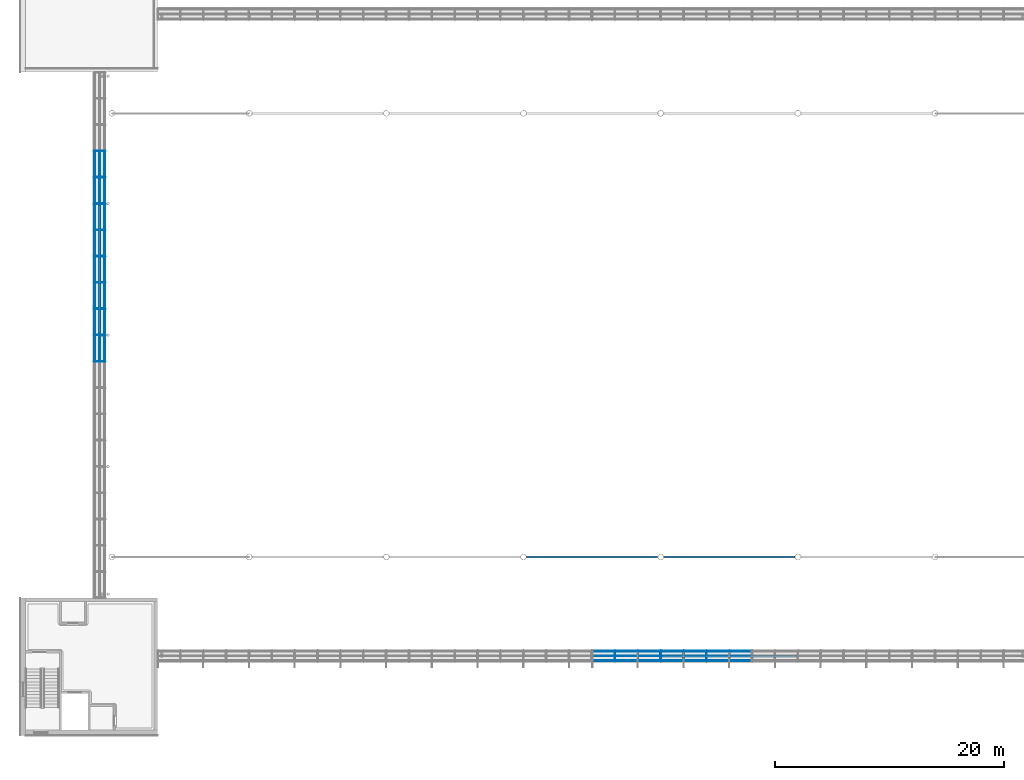
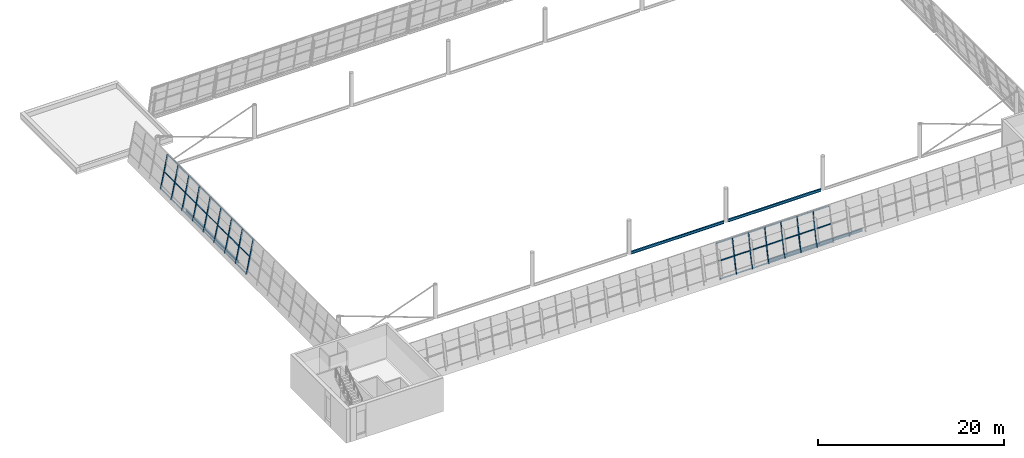
# One storey, part 11 of 50: 60 members, 4 beams, 2 elements without a shape of their own.
"""IFC4 building model written with IfcOpenShell, lengths in metres."""

from ifc_helpers import new_model, si_unit, direction, frame, origin, origin_2d, place, context, subcontext, project, spatial, rectangle, i_section, extrude, material, layer, layer_set, material_profile, profile_set, type_object, element, aggregate, save


model = new_model("IFC4")

# Units and contexts
model_context = context("Model", 3, precision=1e-05, world=origin(), true_north=direction((0.0, 1.0)))
body_context = subcontext(model_context, "Body", "Model", "MODEL_VIEW")
ifc_project = project(units=[si_unit("LENGTHUNIT", "METRE"), si_unit("AREAUNIT", "SQUARE_METRE"), si_unit("VOLUMEUNIT", "CUBIC_METRE"), si_unit("PLANEANGLEUNIT", "RADIAN"), si_unit("MASSUNIT", "GRAM", prefix="KILO")], contexts=[model_context])

# Site, building, storey
site_placement = place(None, origin())
site = spatial("IfcSite", under=ifc_project, at=site_placement, CompositionType="ELEMENT")
building_placement = place(site_placement, origin())
building = spatial("IfcBuilding", under=site, at=building_placement, Name="Windward Yard Aquatics Centre", CompositionType="ELEMENT")
storey_placement = place(building_placement, frame((0.0, 0.0, 18.199951171875)))
storey = spatial("IfcBuildingStorey", under=building, at=storey_placement, Name="L04", CompositionType="ELEMENT", Elevation=18.199951171875)

# Curtain wall, members
ifc_material_1 = material(Name="Glass and aluminium curtain wall", Category="aluminium")
ifc_layer = layer(ifc_material_1, 0.179931640625)
ifc_layer_set = layer_set([ifc_layer], Name="H curtain wall tier 2 double glazed 6+16+6")
curtain_wall_type = type_object("IfcCurtainWallType", Name="H curtain wall tier 2 double glazed 6+16+6", PredefinedType="NOTDEFINED", material=ifc_layer_set)
curtain_wall_1_placement = place(storey_placement, origin())
curtain_wall_1 = element("IfcCurtainWall", 1, at=curtain_wall_1_placement, inside=storey, type_object=curtain_wall_type, Name="Tier 2 glazing S L04", PredefinedType="NOTDEFINED")
ifc_material_2 = material(Name="Aluminium 6063-T6 anodised", Category="aluminium")
ifc_material_profile_1 = material_profile(ifc_material_2, rectangle(XDim=0.06494140625, YDim=0.179931640625, at=origin_2d()), Name="H CW mullion 65x180")
ifc_profile_set_1 = profile_set([ifc_material_profile_1], Name="Aluminium 6063-T6 anodised")
member_type_1 = type_object("IfcMemberType", Name="H CW mullion 65x180", PredefinedType="MULLION", material=ifc_profile_set_1)
member_1_placement = place(storey_placement, frame((104.004638671875, 32.505126953125, 0.0), z_axis=(0.0, 0.199376314935, 0.979922999548), x_axis=(-1.0, 0.0, 0.0)))
member_1 = element("IfcMember", 2, at=member_1_placement, type_object=member_type_1, Name="G2SB mullion 2", PredefinedType="MULLION", context=body_context, shape_type="SweptSolid", body=[
    extrude(rectangle(XDim=0.06494140625, YDim=0.179931640625, at=origin_2d()), origin(), (0.0, 0.0, 1.0), 4.31884765625),
])
member_2_placement = place(storey_placement, frame((106.00439453125, 32.505126953125, 0.0), z_axis=(0.0, 0.199376314935, 0.979922999548), x_axis=(-1.0, 0.0, 0.0)))
member_2 = element("IfcMember", 3, at=member_2_placement, type_object=member_type_1, Name="G2SB mullion 3", PredefinedType="MULLION", context=body_context, shape_type="SweptSolid", body=[
    extrude(rectangle(XDim=0.06494140625, YDim=0.179931640625, at=origin_2d()), origin(), (0.0, 0.0, 1.0), 4.31884765625),
])
member_3_placement = place(storey_placement, frame((108.004150390625, 32.505126953125, 0.0), z_axis=(0.0, 0.199376314935, 0.979922999548), x_axis=(-1.0, 0.0, 0.0)))
member_3 = element("IfcMember", 4, at=member_3_placement, type_object=member_type_1, Name="G2SB mullion 4", PredefinedType="MULLION", context=body_context, shape_type="SweptSolid", body=[
    extrude(rectangle(XDim=0.06494140625, YDim=0.179931640625, at=origin_2d()), origin(), (0.0, 0.0, 1.0), 4.31884765625),
])
member_4_placement = place(storey_placement, frame((110.00390625, 32.505126953125, 0.0), z_axis=(0.0, 0.199376314935, 0.979922999548), x_axis=(-1.0, 0.0, 0.0)))
member_4 = element("IfcMember", 5, at=member_4_placement, type_object=member_type_1, Name="G2SB mullion 5", PredefinedType="MULLION", context=body_context, shape_type="SweptSolid", body=[
    extrude(rectangle(XDim=0.06494140625, YDim=0.179931640625, at=origin_2d()), origin(), (0.0, 0.0, 1.0), 4.31884765625),
])
member_5_placement = place(storey_placement, frame((112.003662109375, 32.505126953125, 0.0), z_axis=(0.0, 0.199376314935, 0.979922999548), x_axis=(-1.0, 0.0, 0.0)))
member_5 = element("IfcMember", 6, at=member_5_placement, type_object=member_type_1, Name="G2SB mullion 6", PredefinedType="MULLION", context=body_context, shape_type="SweptSolid", body=[
    extrude(rectangle(XDim=0.06494140625, YDim=0.179931640625, at=origin_2d()), origin(), (0.0, 0.0, 1.0), 4.31884765625),
])
member_6_placement = place(storey_placement, frame((114.00341796875, 32.505126953125, 0.0), z_axis=(0.0, 0.199376314935, 0.979922999548), x_axis=(-1.0, 0.0, 0.0)))
member_6 = element("IfcMember", 7, at=member_6_placement, type_object=member_type_1, Name="G2SB mullion 7", PredefinedType="MULLION", context=body_context, shape_type="SweptSolid", body=[
    extrude(rectangle(XDim=0.06494140625, YDim=0.179931640625, at=origin_2d()), origin(), (0.0, 0.0, 1.0), 4.31884765625),
])

curtain_wall_2_placement = place(storey_placement, origin())
curtain_wall_2 = element("IfcCurtainWall", 8, at=curtain_wall_2_placement, inside=storey, type_object=curtain_wall_type, Name="Tier 2 glazing W L04", PredefinedType="NOTDEFINED")
member_7_placement = place(storey_placement, frame((58.505126953125, 58.699951171875, 0.0), z_axis=(0.199376314935, 0.0, 0.979922999548), x_axis=(0.0, 1.0, 0.0)))
member_7 = element("IfcMember", 9, at=member_7_placement, type_object=member_type_1, Name="G2WA mullion 10", PredefinedType="MULLION", context=body_context, shape_type="SweptSolid", body=[
    extrude(rectangle(XDim=0.06494140625, YDim=0.179931640625, at=origin_2d()), origin(), (0.0, 0.0, 1.0), 4.31884765625),
])
member_8_placement = place(storey_placement, frame((58.505126953125, 61.0, 0.0), z_axis=(0.199376314935, 0.0, 0.979922999548), x_axis=(0.0, 1.0, 0.0)))
member_8 = element("IfcMember", 10, at=member_8_placement, type_object=member_type_1, Name="G2WA mullion 11", PredefinedType="MULLION", context=body_context, shape_type="SweptSolid", body=[
    extrude(rectangle(XDim=0.06494140625, YDim=0.179931640625, at=origin_2d()), origin(), (0.0, 0.0, 1.0), 4.31884765625),
])
member_9_placement = place(storey_placement, frame((58.505126953125, 63.300048828125, 0.0), z_axis=(0.199376314935, 0.0, 0.979922999548), x_axis=(0.0, 1.0, 0.0)))
member_9 = element("IfcMember", 11, at=member_9_placement, type_object=member_type_1, Name="G2WA mullion 12", PredefinedType="MULLION", context=body_context, shape_type="SweptSolid", body=[
    extrude(rectangle(XDim=0.06494140625, YDim=0.179931640625, at=origin_2d()), origin(), (0.0, 0.0, 1.0), 4.31884765625),
])
member_10_placement = place(storey_placement, frame((58.505126953125, 65.60009765625, 0.0), z_axis=(0.199376314935, 0.0, 0.979922999548), x_axis=(0.0, 1.0, 0.0)))
member_10 = element("IfcMember", 12, at=member_10_placement, type_object=member_type_1, Name="G2WA mullion 13", PredefinedType="MULLION", context=body_context, shape_type="SweptSolid", body=[
    extrude(rectangle(XDim=0.06494140625, YDim=0.179931640625, at=origin_2d()), origin(), (0.0, 0.0, 1.0), 4.31884765625),
])
member_11_placement = place(storey_placement, frame((58.505126953125, 67.89990234375, 0.0), z_axis=(0.199376314935, 0.0, 0.979922999548), x_axis=(0.0, 1.0, 0.0)))
member_11 = element("IfcMember", 13, at=member_11_placement, type_object=member_type_1, Name="G2WA mullion 14", PredefinedType="MULLION", context=body_context, shape_type="SweptSolid", body=[
    extrude(rectangle(XDim=0.06494140625, YDim=0.179931640625, at=origin_2d()), origin(), (0.0, 0.0, 1.0), 4.31884765625),
])
member_12_placement = place(storey_placement, frame((58.505126953125, 70.199951171875, 0.0), z_axis=(0.199376314935, 0.0, 0.979922999548), x_axis=(0.0, 1.0, 0.0)))
member_12 = element("IfcMember", 14, at=member_12_placement, type_object=member_type_1, Name="G2WA mullion 15", PredefinedType="MULLION", context=body_context, shape_type="SweptSolid", body=[
    extrude(rectangle(XDim=0.06494140625, YDim=0.179931640625, at=origin_2d()), origin(), (0.0, 0.0, 1.0), 4.31884765625),
])
member_13_placement = place(storey_placement, frame((58.505126953125, 72.5, 0.0), z_axis=(0.199376314935, 0.0, 0.979922999548), x_axis=(0.0, 1.0, 0.0)))
member_13 = element("IfcMember", 15, at=member_13_placement, type_object=member_type_1, Name="G2WA mullion 16", PredefinedType="MULLION", context=body_context, shape_type="SweptSolid", body=[
    extrude(rectangle(XDim=0.06494140625, YDim=0.179931640625, at=origin_2d()), origin(), (0.0, 0.0, 1.0), 4.31884765625),
])
member_14_placement = place(storey_placement, frame((58.505126953125, 74.800048828125, 0.0), z_axis=(0.199376314935, 0.0, 0.979922999548), x_axis=(0.0, 1.0, 0.0)))
member_14 = element("IfcMember", 16, at=member_14_placement, type_object=member_type_1, Name="G2WA mullion 17", PredefinedType="MULLION", context=body_context, shape_type="SweptSolid", body=[
    extrude(rectangle(XDim=0.06494140625, YDim=0.179931640625, at=origin_2d()), origin(), (0.0, 0.0, 1.0), 4.31884765625),
])
member_15_placement = place(storey_placement, frame((58.505126953125, 77.10009765625, 0.0), z_axis=(0.199376314935, 0.0, 0.979922999548), x_axis=(0.0, 1.0, 0.0)))
member_15 = element("IfcMember", 17, at=member_15_placement, type_object=member_type_1, Name="G2WA mullion 18", PredefinedType="MULLION", context=body_context, shape_type="SweptSolid", body=[
    extrude(rectangle(XDim=0.06494140625, YDim=0.179931640625, at=origin_2d()), origin(), (0.0, 0.0, 1.0), 4.31884765625),
])

# Member
ifc_material_profile_2 = material_profile(ifc_material_2, rectangle(XDim=0.06494140625, YDim=0.10009765625, at=origin_2d()), Name="H CW transom 65x100")
ifc_profile_set_2 = profile_set([ifc_material_profile_2], Name="Aluminium 6063-T6 anodised")
member_type_2 = type_object("IfcMemberType", Name="H CW transom 65x100", PredefinedType="USERDEFINED", material=ifc_profile_set_2)
member_16_placement = place(storey_placement, frame((102.070068359375, 32.51513671875, 0.049072265625), z_axis=(1.0, 0.0, 0.0), x_axis=(0.0, -0.9799247046, 0.19936793452)))
member_16 = element("IfcMember", 18, at=member_16_placement, type_object=member_type_2, Name="G2SB transom 1.1", ObjectType="TRANSOM", PredefinedType="USERDEFINED", context=body_context, shape_type="SweptSolid", body=[
    extrude(rectangle(XDim=0.06494140625, YDim=0.10009765625, at=origin_2d()), origin(), (0.0, 0.0, 1.0), 1.902099609375),
])

member_17_placement = place(storey_placement, frame((102.070068359375, 32.9375, 2.125), z_axis=(1.0, 0.0, 0.0), x_axis=(0.0, -0.9799247046, 0.19936793452)))
member_17 = element("IfcMember", 19, at=member_17_placement, type_object=member_type_2, Name="G2SB transom 1.2", ObjectType="TRANSOM", PredefinedType="USERDEFINED", context=body_context, shape_type="SweptSolid", body=[
    extrude(rectangle(XDim=0.06494140625, YDim=0.10009765625, at=origin_2d()), origin(), (0.0, 0.0, 1.0), 1.902099609375),
])

member_18_placement = place(storey_placement, frame((102.070068359375, 33.358642578125, 4.194580078125), z_axis=(1.0, 0.0, 0.0), x_axis=(0.0, -0.9799247046, 0.19936793452)))
member_18 = element("IfcMember", 20, at=member_18_placement, type_object=member_type_2, Name="G2SB transom 1.3", ObjectType="TRANSOM", PredefinedType="USERDEFINED", context=body_context, shape_type="SweptSolid", body=[
    extrude(rectangle(XDim=0.06494140625, YDim=0.10009765625, at=origin_2d()), origin(), (0.0, 0.0, 1.0), 1.902099609375),
])

member_19_placement = place(storey_placement, frame((104.037353515625, 32.51513671875, 0.049072265625), z_axis=(1.0, 0.0, 0.0), x_axis=(0.0, -0.9799247046, 0.19936793452)))
member_19 = element("IfcMember", 21, at=member_19_placement, type_object=member_type_2, Name="G2SB transom 2.1", ObjectType="TRANSOM", PredefinedType="USERDEFINED", context=body_context, shape_type="SweptSolid", body=[
    extrude(rectangle(XDim=0.06494140625, YDim=0.10009765625, at=origin_2d()), origin(), (0.0, 0.0, 1.0), 1.9345703125),
])

member_20_placement = place(storey_placement, frame((104.037353515625, 32.9375, 2.125), z_axis=(1.0, 0.0, 0.0), x_axis=(0.0, -0.9799247046, 0.19936793452)))
member_20 = element("IfcMember", 22, at=member_20_placement, type_object=member_type_2, Name="G2SB transom 2.2", ObjectType="TRANSOM", PredefinedType="USERDEFINED", context=body_context, shape_type="SweptSolid", body=[
    extrude(rectangle(XDim=0.06494140625, YDim=0.10009765625, at=origin_2d()), origin(), (0.0, 0.0, 1.0), 1.9345703125),
])

member_21_placement = place(storey_placement, frame((104.037353515625, 33.358642578125, 4.194580078125), z_axis=(1.0, 0.0, 0.0), x_axis=(0.0, -0.9799247046, 0.19936793452)))
member_21 = element("IfcMember", 23, at=member_21_placement, type_object=member_type_2, Name="G2SB transom 2.3", ObjectType="TRANSOM", PredefinedType="USERDEFINED", context=body_context, shape_type="SweptSolid", body=[
    extrude(rectangle(XDim=0.06494140625, YDim=0.10009765625, at=origin_2d()), origin(), (0.0, 0.0, 1.0), 1.9345703125),
])

member_22_placement = place(storey_placement, frame((106.036865234375, 32.51513671875, 0.049072265625), z_axis=(1.0, 0.0, 0.0), x_axis=(0.0, -0.9799247046, 0.19936793452)))
member_22 = element("IfcMember", 24, at=member_22_placement, type_object=member_type_2, Name="G2SB transom 3.1", ObjectType="TRANSOM", PredefinedType="USERDEFINED", context=body_context, shape_type="SweptSolid", body=[
    extrude(rectangle(XDim=0.06494140625, YDim=0.10009765625, at=origin_2d()), origin(), (0.0, 0.0, 1.0), 1.934814453125),
])

member_23_placement = place(storey_placement, frame((106.036865234375, 32.9375, 2.125), z_axis=(1.0, 0.0, 0.0), x_axis=(0.0, -0.9799247046, 0.19936793452)))
member_23 = element("IfcMember", 25, at=member_23_placement, type_object=member_type_2, Name="G2SB transom 3.2", ObjectType="TRANSOM", PredefinedType="USERDEFINED", context=body_context, shape_type="SweptSolid", body=[
    extrude(rectangle(XDim=0.06494140625, YDim=0.10009765625, at=origin_2d()), origin(), (0.0, 0.0, 1.0), 1.934814453125),
])

member_24_placement = place(storey_placement, frame((106.036865234375, 33.358642578125, 4.194580078125), z_axis=(1.0, 0.0, 0.0), x_axis=(0.0, -0.9799247046, 0.19936793452)))
member_24 = element("IfcMember", 26, at=member_24_placement, type_object=member_type_2, Name="G2SB transom 3.3", ObjectType="TRANSOM", PredefinedType="USERDEFINED", context=body_context, shape_type="SweptSolid", body=[
    extrude(rectangle(XDim=0.06494140625, YDim=0.10009765625, at=origin_2d()), origin(), (0.0, 0.0, 1.0), 1.934814453125),
])

member_25_placement = place(storey_placement, frame((108.03662109375, 32.51513671875, 0.049072265625), z_axis=(1.0, 0.0, 0.0), x_axis=(0.0, -0.9799247046, 0.19936793452)))
member_25 = element("IfcMember", 27, at=member_25_placement, type_object=member_type_2, Name="G2SB transom 4.1", ObjectType="TRANSOM", PredefinedType="USERDEFINED", context=body_context, shape_type="SweptSolid", body=[
    extrude(rectangle(XDim=0.06494140625, YDim=0.10009765625, at=origin_2d()), origin(), (0.0, 0.0, 1.0), 1.934814453125),
])

member_26_placement = place(storey_placement, frame((108.03662109375, 32.9375, 2.125), z_axis=(1.0, 0.0, 0.0), x_axis=(0.0, -0.9799247046, 0.19936793452)))
member_26 = element("IfcMember", 28, at=member_26_placement, type_object=member_type_2, Name="G2SB transom 4.2", ObjectType="TRANSOM", PredefinedType="USERDEFINED", context=body_context, shape_type="SweptSolid", body=[
    extrude(rectangle(XDim=0.06494140625, YDim=0.10009765625, at=origin_2d()), origin(), (0.0, 0.0, 1.0), 1.934814453125),
])

member_27_placement = place(storey_placement, frame((108.03662109375, 33.358642578125, 4.194580078125), z_axis=(1.0, 0.0, 0.0), x_axis=(0.0, -0.9799247046, 0.19936793452)))
member_27 = element("IfcMember", 29, at=member_27_placement, type_object=member_type_2, Name="G2SB transom 4.3", ObjectType="TRANSOM", PredefinedType="USERDEFINED", context=body_context, shape_type="SweptSolid", body=[
    extrude(rectangle(XDim=0.06494140625, YDim=0.10009765625, at=origin_2d()), origin(), (0.0, 0.0, 1.0), 1.934814453125),
])

member_28_placement = place(storey_placement, frame((110.036376953125, 32.51513671875, 0.049072265625), z_axis=(1.0, 0.0, 0.0), x_axis=(0.0, -0.9799247046, 0.19936793452)))
member_28 = element("IfcMember", 30, at=member_28_placement, type_object=member_type_2, Name="G2SB transom 5.1", ObjectType="TRANSOM", PredefinedType="USERDEFINED", context=body_context, shape_type="SweptSolid", body=[
    extrude(rectangle(XDim=0.06494140625, YDim=0.10009765625, at=origin_2d()), origin(), (0.0, 0.0, 1.0), 1.934814453125),
])

member_29_placement = place(storey_placement, frame((110.036376953125, 32.9375, 2.125), z_axis=(1.0, 0.0, 0.0), x_axis=(0.0, -0.9799247046, 0.19936793452)))
member_29 = element("IfcMember", 31, at=member_29_placement, type_object=member_type_2, Name="G2SB transom 5.2", ObjectType="TRANSOM", PredefinedType="USERDEFINED", context=body_context, shape_type="SweptSolid", body=[
    extrude(rectangle(XDim=0.06494140625, YDim=0.10009765625, at=origin_2d()), origin(), (0.0, 0.0, 1.0), 1.934814453125),
])

member_30_placement = place(storey_placement, frame((110.036376953125, 33.358642578125, 4.194580078125), z_axis=(1.0, 0.0, 0.0), x_axis=(0.0, -0.9799247046, 0.19936793452)))
member_30 = element("IfcMember", 32, at=member_30_placement, type_object=member_type_2, Name="G2SB transom 5.3", ObjectType="TRANSOM", PredefinedType="USERDEFINED", context=body_context, shape_type="SweptSolid", body=[
    extrude(rectangle(XDim=0.06494140625, YDim=0.10009765625, at=origin_2d()), origin(), (0.0, 0.0, 1.0), 1.934814453125),
])

member_31_placement = place(storey_placement, frame((112.0361328125, 32.51513671875, 0.049072265625), z_axis=(1.0, 0.0, 0.0), x_axis=(0.0, -0.9799247046, 0.19936793452)))
member_31 = element("IfcMember", 33, at=member_31_placement, type_object=member_type_2, Name="G2SB transom 6.1", ObjectType="TRANSOM", PredefinedType="USERDEFINED", context=body_context, shape_type="SweptSolid", body=[
    extrude(rectangle(XDim=0.06494140625, YDim=0.10009765625, at=origin_2d()), origin(), (0.0, 0.0, 1.0), 1.934814453125),
])

member_32_placement = place(storey_placement, frame((112.0361328125, 32.9375, 2.125), z_axis=(1.0, 0.0, 0.0), x_axis=(0.0, -0.9799247046, 0.19936793452)))
member_32 = element("IfcMember", 34, at=member_32_placement, type_object=member_type_2, Name="G2SB transom 6.2", ObjectType="TRANSOM", PredefinedType="USERDEFINED", context=body_context, shape_type="SweptSolid", body=[
    extrude(rectangle(XDim=0.06494140625, YDim=0.10009765625, at=origin_2d()), origin(), (0.0, 0.0, 1.0), 1.934814453125),
])

member_33_placement = place(storey_placement, frame((112.0361328125, 33.358642578125, 4.194580078125), z_axis=(1.0, 0.0, 0.0), x_axis=(0.0, -0.9799247046, 0.19936793452)))
member_33 = element("IfcMember", 35, at=member_33_placement, type_object=member_type_2, Name="G2SB transom 6.3", ObjectType="TRANSOM", PredefinedType="USERDEFINED", context=body_context, shape_type="SweptSolid", body=[
    extrude(rectangle(XDim=0.06494140625, YDim=0.10009765625, at=origin_2d()), origin(), (0.0, 0.0, 1.0), 1.934814453125),
])

member_34_placement = place(storey_placement, frame((114.035888671875, 32.51513671875, 0.049072265625), z_axis=(1.0, 0.0, 0.0), x_axis=(0.0, -0.9799247046, 0.19936793452)))
member_34 = element("IfcMember", 36, at=member_34_placement, type_object=member_type_2, Name="G2SB transom 7.1", ObjectType="TRANSOM", PredefinedType="USERDEFINED", context=body_context, shape_type="SweptSolid", body=[
    extrude(rectangle(XDim=0.06494140625, YDim=0.10009765625, at=origin_2d()), origin(), (0.0, 0.0, 1.0), 1.934814453125),
])

member_35_placement = place(storey_placement, frame((114.035888671875, 32.9375, 2.125), z_axis=(1.0, 0.0, 0.0), x_axis=(0.0, -0.9799247046, 0.19936793452)))
member_35 = element("IfcMember", 37, at=member_35_placement, type_object=member_type_2, Name="G2SB transom 7.2", ObjectType="TRANSOM", PredefinedType="USERDEFINED", context=body_context, shape_type="SweptSolid", body=[
    extrude(rectangle(XDim=0.06494140625, YDim=0.10009765625, at=origin_2d()), origin(), (0.0, 0.0, 1.0), 1.934814453125),
])

member_36_placement = place(storey_placement, frame((114.035888671875, 33.358642578125, 4.194580078125), z_axis=(1.0, 0.0, 0.0), x_axis=(0.0, -0.9799247046, 0.19936793452)))
member_36 = element("IfcMember", 38, at=member_36_placement, type_object=member_type_2, Name="G2SB transom 7.3", ObjectType="TRANSOM", PredefinedType="USERDEFINED", context=body_context, shape_type="SweptSolid", body=[
    extrude(rectangle(XDim=0.06494140625, YDim=0.10009765625, at=origin_2d()), origin(), (0.0, 0.0, 1.0), 1.934814453125),
])

aggregate(curtain_wall_1, [member_1, member_2, member_3, member_4, member_5, member_6, member_16, member_17, member_18, member_19, member_20, member_21, member_22, member_23, member_24, member_25, member_26, member_27, member_28, member_29, member_30, member_31, member_32, member_33, member_34, member_35, member_36])

member_37_placement = place(storey_placement, frame((58.51513671875, 58.732421875, 0.049072265625), z_axis=(0.0, 1.0, 0.0), x_axis=(-0.9799247046, 0.0, 0.19936793452)))
member_37 = element("IfcMember", 39, at=member_37_placement, type_object=member_type_2, Name="G2WA transom 10.1", ObjectType="TRANSOM", PredefinedType="USERDEFINED", context=body_context, shape_type="SweptSolid", body=[
    extrude(rectangle(XDim=0.06494140625, YDim=0.10009765625, at=origin_2d()), origin(), (0.0, 0.0, 1.0), 2.235107421875),
])

member_38_placement = place(storey_placement, frame((58.9375, 58.732421875, 2.125), z_axis=(0.0, 1.0, 0.0), x_axis=(-0.9799247046, 0.0, 0.19936793452)))
member_38 = element("IfcMember", 40, at=member_38_placement, type_object=member_type_2, Name="G2WA transom 10.2", ObjectType="TRANSOM", PredefinedType="USERDEFINED", context=body_context, shape_type="SweptSolid", body=[
    extrude(rectangle(XDim=0.06494140625, YDim=0.10009765625, at=origin_2d()), origin(), (0.0, 0.0, 1.0), 2.235107421875),
])

member_39_placement = place(storey_placement, frame((59.358642578125, 58.732421875, 4.194580078125), z_axis=(0.0, 1.0, 0.0), x_axis=(-0.9799247046, 0.0, 0.19936793452)))
member_39 = element("IfcMember", 41, at=member_39_placement, type_object=member_type_2, Name="G2WA transom 10.3", ObjectType="TRANSOM", PredefinedType="USERDEFINED", context=body_context, shape_type="SweptSolid", body=[
    extrude(rectangle(XDim=0.06494140625, YDim=0.10009765625, at=origin_2d()), origin(), (0.0, 0.0, 1.0), 2.235107421875),
])

member_40_placement = place(storey_placement, frame((58.51513671875, 61.032470703125, 0.049072265625), z_axis=(0.0, 1.0, 0.0), x_axis=(-0.9799247046, 0.0, 0.19936793452)))
member_40 = element("IfcMember", 42, at=member_40_placement, type_object=member_type_2, Name="G2WA transom 11.1", ObjectType="TRANSOM", PredefinedType="USERDEFINED", context=body_context, shape_type="SweptSolid", body=[
    extrude(rectangle(XDim=0.06494140625, YDim=0.10009765625, at=origin_2d()), origin(), (0.0, 0.0, 1.0), 2.235107421875),
])

member_41_placement = place(storey_placement, frame((58.9375, 61.032470703125, 2.125), z_axis=(0.0, 1.0, 0.0), x_axis=(-0.9799247046, 0.0, 0.19936793452)))
member_41 = element("IfcMember", 43, at=member_41_placement, type_object=member_type_2, Name="G2WA transom 11.2", ObjectType="TRANSOM", PredefinedType="USERDEFINED", context=body_context, shape_type="SweptSolid", body=[
    extrude(rectangle(XDim=0.06494140625, YDim=0.10009765625, at=origin_2d()), origin(), (0.0, 0.0, 1.0), 2.235107421875),
])

member_42_placement = place(storey_placement, frame((59.358642578125, 61.032470703125, 4.194580078125), z_axis=(0.0, 1.0, 0.0), x_axis=(-0.9799247046, 0.0, 0.19936793452)))
member_42 = element("IfcMember", 44, at=member_42_placement, type_object=member_type_2, Name="G2WA transom 11.3", ObjectType="TRANSOM", PredefinedType="USERDEFINED", context=body_context, shape_type="SweptSolid", body=[
    extrude(rectangle(XDim=0.06494140625, YDim=0.10009765625, at=origin_2d()), origin(), (0.0, 0.0, 1.0), 2.235107421875),
])

member_43_placement = place(storey_placement, frame((58.51513671875, 63.33251953125, 0.049072265625), z_axis=(0.0, 1.0, 0.0), x_axis=(-0.9799247046, 0.0, 0.19936793452)))
member_43 = element("IfcMember", 45, at=member_43_placement, type_object=member_type_2, Name="G2WA transom 12.1", ObjectType="TRANSOM", PredefinedType="USERDEFINED", context=body_context, shape_type="SweptSolid", body=[
    extrude(rectangle(XDim=0.06494140625, YDim=0.10009765625, at=origin_2d()), origin(), (0.0, 0.0, 1.0), 2.23486328125),
])

member_44_placement = place(storey_placement, frame((58.9375, 63.33251953125, 2.125), z_axis=(0.0, 1.0, 0.0), x_axis=(-0.9799247046, 0.0, 0.19936793452)))
member_44 = element("IfcMember", 46, at=member_44_placement, type_object=member_type_2, Name="G2WA transom 12.2", ObjectType="TRANSOM", PredefinedType="USERDEFINED", context=body_context, shape_type="SweptSolid", body=[
    extrude(rectangle(XDim=0.06494140625, YDim=0.10009765625, at=origin_2d()), origin(), (0.0, 0.0, 1.0), 2.23486328125),
])

member_45_placement = place(storey_placement, frame((59.358642578125, 63.33251953125, 4.194580078125), z_axis=(0.0, 1.0, 0.0), x_axis=(-0.9799247046, 0.0, 0.19936793452)))
member_45 = element("IfcMember", 47, at=member_45_placement, type_object=member_type_2, Name="G2WA transom 12.3", ObjectType="TRANSOM", PredefinedType="USERDEFINED", context=body_context, shape_type="SweptSolid", body=[
    extrude(rectangle(XDim=0.06494140625, YDim=0.10009765625, at=origin_2d()), origin(), (0.0, 0.0, 1.0), 2.23486328125),
])

member_46_placement = place(storey_placement, frame((58.51513671875, 65.632568359375, 0.049072265625), z_axis=(0.0, 1.0, 0.0), x_axis=(-0.9799247046, 0.0, 0.19936793452)))
member_46 = element("IfcMember", 48, at=member_46_placement, type_object=member_type_2, Name="G2WA transom 13.1", ObjectType="TRANSOM", PredefinedType="USERDEFINED", context=body_context, shape_type="SweptSolid", body=[
    extrude(rectangle(XDim=0.06494140625, YDim=0.10009765625, at=origin_2d()), origin(), (0.0, 0.0, 1.0), 2.23486328125),
])

member_47_placement = place(storey_placement, frame((58.9375, 65.632568359375, 2.125), z_axis=(0.0, 1.0, 0.0), x_axis=(-0.9799247046, 0.0, 0.19936793452)))
member_47 = element("IfcMember", 49, at=member_47_placement, type_object=member_type_2, Name="G2WA transom 13.2", ObjectType="TRANSOM", PredefinedType="USERDEFINED", context=body_context, shape_type="SweptSolid", body=[
    extrude(rectangle(XDim=0.06494140625, YDim=0.10009765625, at=origin_2d()), origin(), (0.0, 0.0, 1.0), 2.23486328125),
])

member_48_placement = place(storey_placement, frame((59.358642578125, 65.632568359375, 4.194580078125), z_axis=(0.0, 1.0, 0.0), x_axis=(-0.9799247046, 0.0, 0.19936793452)))
member_48 = element("IfcMember", 50, at=member_48_placement, type_object=member_type_2, Name="G2WA transom 13.3", ObjectType="TRANSOM", PredefinedType="USERDEFINED", context=body_context, shape_type="SweptSolid", body=[
    extrude(rectangle(XDim=0.06494140625, YDim=0.10009765625, at=origin_2d()), origin(), (0.0, 0.0, 1.0), 2.23486328125),
])

member_49_placement = place(storey_placement, frame((58.51513671875, 67.9326171875, 0.049072265625), z_axis=(0.0, 1.0, 0.0), x_axis=(-0.9799247046, 0.0, 0.19936793452)))
member_49 = element("IfcMember", 51, at=member_49_placement, type_object=member_type_2, Name="G2WA transom 14.1", ObjectType="TRANSOM", PredefinedType="USERDEFINED", context=body_context, shape_type="SweptSolid", body=[
    extrude(rectangle(XDim=0.06494140625, YDim=0.10009765625, at=origin_2d()), origin(), (0.0, 0.0, 1.0), 2.23486328125),
])

member_50_placement = place(storey_placement, frame((58.9375, 67.9326171875, 2.125), z_axis=(0.0, 1.0, 0.0), x_axis=(-0.9799247046, 0.0, 0.19936793452)))
member_50 = element("IfcMember", 52, at=member_50_placement, type_object=member_type_2, Name="G2WA transom 14.2", ObjectType="TRANSOM", PredefinedType="USERDEFINED", context=body_context, shape_type="SweptSolid", body=[
    extrude(rectangle(XDim=0.06494140625, YDim=0.10009765625, at=origin_2d()), origin(), (0.0, 0.0, 1.0), 2.23486328125),
])

member_51_placement = place(storey_placement, frame((59.358642578125, 67.9326171875, 4.194580078125), z_axis=(0.0, 1.0, 0.0), x_axis=(-0.9799247046, 0.0, 0.19936793452)))
member_51 = element("IfcMember", 53, at=member_51_placement, type_object=member_type_2, Name="G2WA transom 14.3", ObjectType="TRANSOM", PredefinedType="USERDEFINED", context=body_context, shape_type="SweptSolid", body=[
    extrude(rectangle(XDim=0.06494140625, YDim=0.10009765625, at=origin_2d()), origin(), (0.0, 0.0, 1.0), 2.23486328125),
])

member_52_placement = place(storey_placement, frame((58.51513671875, 70.232421875, 0.049072265625), z_axis=(0.0, 1.0, 0.0), x_axis=(-0.9799247046, 0.0, 0.19936793452)))
member_52 = element("IfcMember", 54, at=member_52_placement, type_object=member_type_2, Name="G2WA transom 15.1", ObjectType="TRANSOM", PredefinedType="USERDEFINED", context=body_context, shape_type="SweptSolid", body=[
    extrude(rectangle(XDim=0.06494140625, YDim=0.10009765625, at=origin_2d()), origin(), (0.0, 0.0, 1.0), 2.235107421875),
])

member_53_placement = place(storey_placement, frame((58.9375, 70.232421875, 2.125), z_axis=(0.0, 1.0, 0.0), x_axis=(-0.9799247046, 0.0, 0.19936793452)))
member_53 = element("IfcMember", 55, at=member_53_placement, type_object=member_type_2, Name="G2WA transom 15.2", ObjectType="TRANSOM", PredefinedType="USERDEFINED", context=body_context, shape_type="SweptSolid", body=[
    extrude(rectangle(XDim=0.06494140625, YDim=0.10009765625, at=origin_2d()), origin(), (0.0, 0.0, 1.0), 2.235107421875),
])

member_54_placement = place(storey_placement, frame((59.358642578125, 70.232421875, 4.194580078125), z_axis=(0.0, 1.0, 0.0), x_axis=(-0.9799247046, 0.0, 0.19936793452)))
member_54 = element("IfcMember", 56, at=member_54_placement, type_object=member_type_2, Name="G2WA transom 15.3", ObjectType="TRANSOM", PredefinedType="USERDEFINED", context=body_context, shape_type="SweptSolid", body=[
    extrude(rectangle(XDim=0.06494140625, YDim=0.10009765625, at=origin_2d()), origin(), (0.0, 0.0, 1.0), 2.235107421875),
])

member_55_placement = place(storey_placement, frame((58.51513671875, 72.532470703125, 0.049072265625), z_axis=(0.0, 1.0, 0.0), x_axis=(-0.9799247046, 0.0, 0.19936793452)))
member_55 = element("IfcMember", 57, at=member_55_placement, type_object=member_type_2, Name="G2WA transom 16.1", ObjectType="TRANSOM", PredefinedType="USERDEFINED", context=body_context, shape_type="SweptSolid", body=[
    extrude(rectangle(XDim=0.06494140625, YDim=0.10009765625, at=origin_2d()), origin(), (0.0, 0.0, 1.0), 2.235107421875),
])

member_56_placement = place(storey_placement, frame((58.9375, 72.532470703125, 2.125), z_axis=(0.0, 1.0, 0.0), x_axis=(-0.9799247046, 0.0, 0.19936793452)))
member_56 = element("IfcMember", 58, at=member_56_placement, type_object=member_type_2, Name="G2WA transom 16.2", ObjectType="TRANSOM", PredefinedType="USERDEFINED", context=body_context, shape_type="SweptSolid", body=[
    extrude(rectangle(XDim=0.06494140625, YDim=0.10009765625, at=origin_2d()), origin(), (0.0, 0.0, 1.0), 2.235107421875),
])

member_57_placement = place(storey_placement, frame((59.358642578125, 72.532470703125, 4.194580078125), z_axis=(0.0, 1.0, 0.0), x_axis=(-0.9799247046, 0.0, 0.19936793452)))
member_57 = element("IfcMember", 59, at=member_57_placement, type_object=member_type_2, Name="G2WA transom 16.3", ObjectType="TRANSOM", PredefinedType="USERDEFINED", context=body_context, shape_type="SweptSolid", body=[
    extrude(rectangle(XDim=0.06494140625, YDim=0.10009765625, at=origin_2d()), origin(), (0.0, 0.0, 1.0), 2.235107421875),
])

member_58_placement = place(storey_placement, frame((58.51513671875, 74.83251953125, 0.049072265625), z_axis=(0.0, 1.0, 0.0), x_axis=(-0.9799247046, 0.0, 0.19936793452)))
member_58 = element("IfcMember", 60, at=member_58_placement, type_object=member_type_2, Name="G2WA transom 17.1", ObjectType="TRANSOM", PredefinedType="USERDEFINED", context=body_context, shape_type="SweptSolid", body=[
    extrude(rectangle(XDim=0.06494140625, YDim=0.10009765625, at=origin_2d()), origin(), (0.0, 0.0, 1.0), 2.23486328125),
])

member_59_placement = place(storey_placement, frame((58.9375, 74.83251953125, 2.125), z_axis=(0.0, 1.0, 0.0), x_axis=(-0.9799247046, 0.0, 0.19936793452)))
member_59 = element("IfcMember", 61, at=member_59_placement, type_object=member_type_2, Name="G2WA transom 17.2", ObjectType="TRANSOM", PredefinedType="USERDEFINED", context=body_context, shape_type="SweptSolid", body=[
    extrude(rectangle(XDim=0.06494140625, YDim=0.10009765625, at=origin_2d()), origin(), (0.0, 0.0, 1.0), 2.23486328125),
])

member_60_placement = place(storey_placement, frame((59.358642578125, 74.83251953125, 4.194580078125), z_axis=(0.0, 1.0, 0.0), x_axis=(-0.9799247046, 0.0, 0.19936793452)))
member_60 = element("IfcMember", 62, at=member_60_placement, type_object=member_type_2, Name="G2WA transom 17.3", ObjectType="TRANSOM", PredefinedType="USERDEFINED", context=body_context, shape_type="SweptSolid", body=[
    extrude(rectangle(XDim=0.06494140625, YDim=0.10009765625, at=origin_2d()), origin(), (0.0, 0.0, 1.0), 2.23486328125),
])

aggregate(curtain_wall_2, [member_7, member_8, member_9, member_10, member_11, member_12, member_13, member_14, member_15, member_37, member_38, member_39, member_40, member_41, member_42, member_43, member_44, member_45, member_46, member_47, member_48, member_49, member_50, member_51, member_52, member_53, member_54, member_55, member_56, member_57, member_58, member_59, member_60])

# Beams
ifc_material_3 = material(Name="Steel ASTM A992 Gr 50", Category="steel")
ifc_material_profile_3 = material_profile(ifc_material_3, i_section(OverallWidth=0.172119140625, OverallDepth=0.35791015625, WebThickness=0.0078125, FlangeThickness=0.01318359375, at=origin_2d()), Name="W360X57.8")
ifc_profile_set_3 = profile_set([ifc_material_profile_3], Name="Steel ASTM A992 Gr 50")
beam_type_1 = type_object("IfcBeamType", Name="H arch column tie beam W360X57.8", PredefinedType="BEAM", material=ifc_profile_set_3)
for number, where, z_axis, x_axis, name in (
    (63, (96.25390625, 41.60009765625, 0.0), (1.0, 0.0, 0.0), (0.0, 1.0, 0.0), "H.TB.S4.T4"),
    (64, (108.25390625, 41.60009765625, 0.0), (1.0, 0.0, 0.0), (0.0, 1.0, 0.0), "H.TB.S5.T4"),
):
    element("IfcBeam", number, at=place(storey_placement, frame(where, z_axis=z_axis, x_axis=x_axis)), inside=storey, type_object=beam_type_1, Name=name, PredefinedType="BEAM", context=body_context, shape_type="SweptSolid", body=[
        extrude(i_section(OverallWidth=0.172119140625, OverallDepth=0.35791015625, WebThickness=0.0078125, FlangeThickness=0.01318359375, at=origin_2d()), origin(), (0.0, 0.0, 1.0), 11.4921875),
    ])
ifc_material_profile_4 = material_profile(ifc_material_3, i_section(OverallWidth=0.202880859375, OverallDepth=0.302001953125, WebThickness=0.007568359375, FlangeThickness=0.01318359375, at=origin_2d()), Name="W310X60")
ifc_profile_set_4 = profile_set([ifc_material_profile_4], Name="Steel ASTM A992 Gr 50")
beam_type_2 = type_object("IfcBeamType", Name="H tier ring beam W310X60", PredefinedType="BEAM", material=ifc_profile_set_4)
beam_1_placement = place(storey_placement, frame((108.109619140625, 32.90478515625, 0.0), z_axis=(1.0, 0.0, 0.0), x_axis=(0.0, 1.0, 0.0)))
element("IfcBeam", 65, at=beam_1_placement, inside=storey, type_object=beam_type_2, Name="H.RG.S5.2", PredefinedType="BEAM", context=body_context, shape_type="SweptSolid", body=[
    extrude(i_section(OverallWidth=0.202880859375, OverallDepth=0.302001953125, WebThickness=0.007568359375, FlangeThickness=0.01318359375, at=origin_2d()), origin(), (0.0, 0.0, 1.0), 11.78076171875),
])
beam_2_placement = place(storey_placement, frame((58.90478515625, 61.109619140625, 0.0), z_axis=(0.0, 1.0, 0.0), x_axis=(-1.0, 0.0, 0.0)))
element("IfcBeam", 66, at=beam_2_placement, inside=storey, type_object=beam_type_2, Name="H.RG.W3.2", PredefinedType="BEAM", context=body_context, shape_type="SweptSolid", body=[
    extrude(i_section(OverallWidth=0.202880859375, OverallDepth=0.302001953125, WebThickness=0.007568359375, FlangeThickness=0.01318359375, at=origin_2d()), origin(), (0.0, 0.0, 1.0), 11.28076171875),
])

save(model, "model.ifc")
